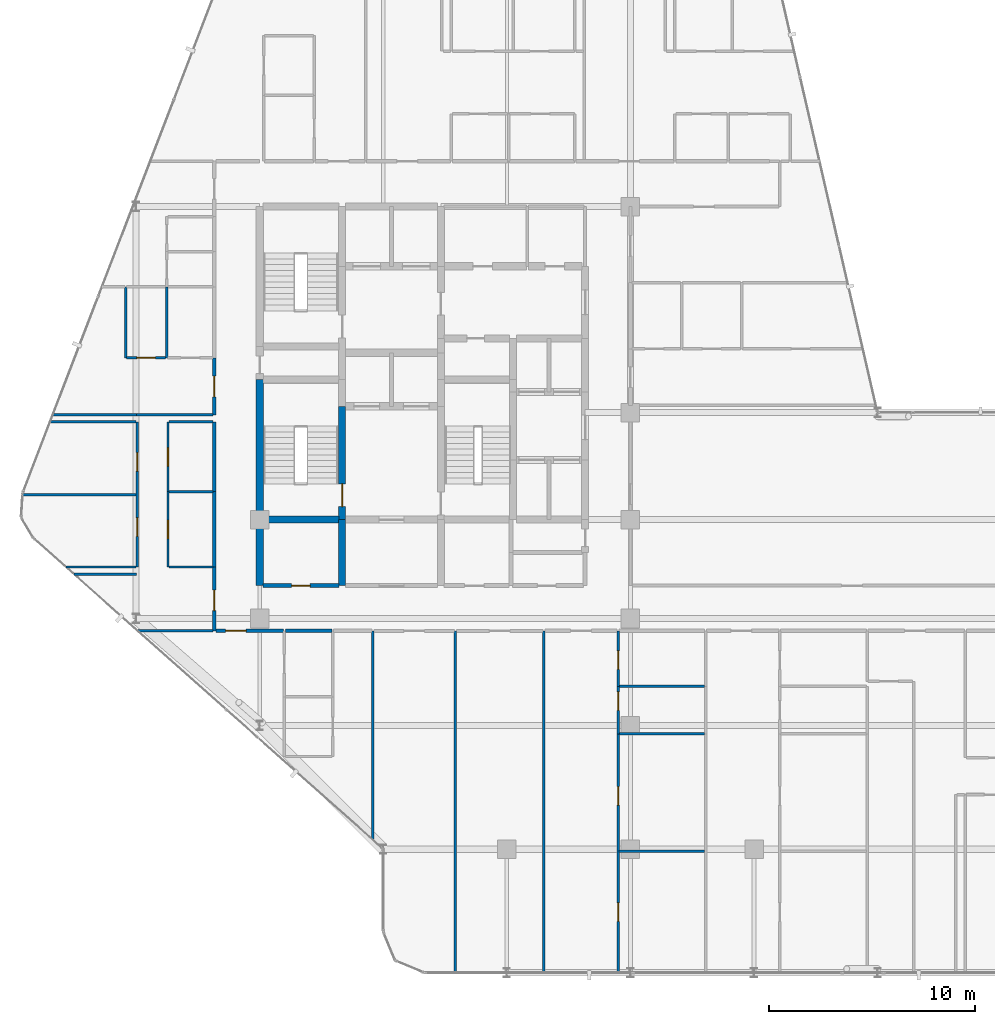
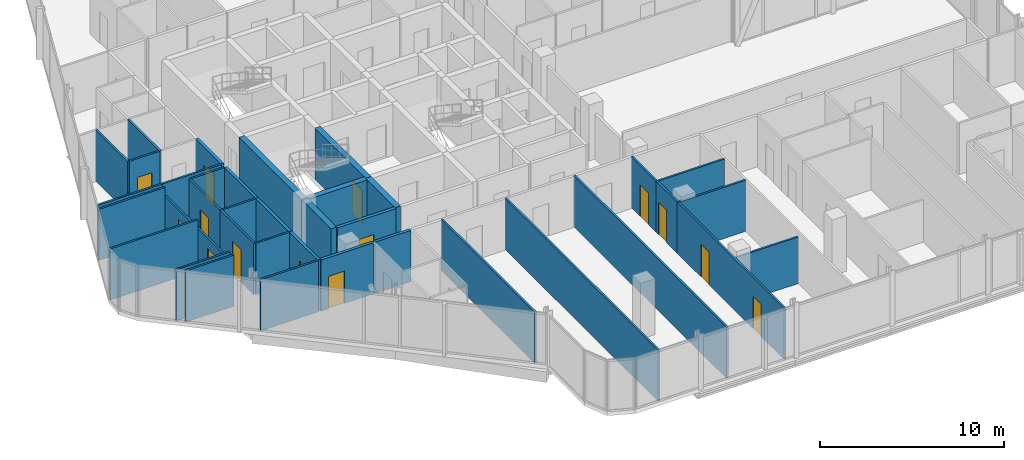
# One storey, part 23 of 29: 37 walls, 14 doors, 14 openings.
"""IFC4 building model written with IfcOpenShell, lengths in metres."""

import ifcopenshell
import ifcopenshell.guid

model = None  # the IFC model being written
_history = None  # IfcOwnerHistory: only IFC2X3 demands one
_inside = {}  # id of a spatial element -> (the spatial element, [elements in it])
_under = {}  # id of a project, library or spatial element -> (it, [spatial elements below it])
_declared = {}  # id of a project -> (the project, [libraries it declares])
_typed = {}  # id of a type object -> (the type object, [elements of that type])
_made_of = {}  # id of a material, layer set ... -> (it, [elements and type objects made of it])


def new_model(schema):
    """Start an empty IFC model of exactly this schema.

    Asked for "IFC4X3", IfcOpenShell would pick the latest addendum, in which some entities
    have other attributes; the version numbers below select the first issue.
    IFC2X3 requires an IfcOwnerHistory on every rooted entity: one is made here for all.
    """
    global model, _history
    if schema == "IFC4X3":
        model = ifcopenshell.file(schema_version=(4, 3, 0, 0))
    else:
        model = ifcopenshell.file(schema=schema)
    _inside.clear()
    _under.clear()
    _declared.clear()
    _typed.clear()
    _made_of.clear()
    _history = None
    if model.schema == "IFC2X3":
        org = make("IfcOrganization", Name="unknown")
        user = make(
            "IfcPersonAndOrganization",
            ThePerson=make("IfcPerson", FamilyName="unknown"),
            TheOrganization=org,
        )
        app = make(
            "IfcApplication",
            ApplicationDeveloper=org,
            Version="unknown",
            ApplicationFullName="unknown",
            ApplicationIdentifier="unknown",
        )
        _history = make(
            "IfcOwnerHistory",
            OwningUser=user,
            OwningApplication=app,
            ChangeAction="ADDED",
            CreationDate=0,
        )
    return model


def make(cls, **values):
    """One entity of the class cls with the attributes given. An attribute that is None is left unset."""
    return model.create_entity(
        cls, **{name: value for name, value in values.items() if value is not None}
    )


def rooted(cls, **values):
    """An entity with a GlobalId (a new one), such as an element, a storey or a relation."""
    return make(cls, GlobalId=ifcopenshell.guid.new(), OwnerHistory=_history, **values)


def si_unit(unit_type, name, prefix=None):
    """IfcSIUnit, for example si_unit("LENGTHUNIT", "METRE", prefix="MILLI")."""
    return make("IfcSIUnit", UnitType=unit_type, Prefix=prefix, Name=name)


def assignment(units):
    """IfcUnitAssignment: the units of a project."""
    return None if units is None else make("IfcUnitAssignment", Units=units)


def point(xyz):
    """IfcCartesianPoint."""
    return None if xyz is None else make("IfcCartesianPoint", Coordinates=xyz)


def direction(xyz):
    """IfcDirection."""
    return None if xyz is None else make("IfcDirection", DirectionRatios=xyz)


def frame(location, z_axis=None, x_axis=None):
    """IfcAxis2Placement3D, a coordinate frame: its origin and axes. An axis left out is left unset."""
    return make(
        "IfcAxis2Placement3D",
        Location=point(location),
        Axis=direction(z_axis),
        RefDirection=direction(x_axis),
    )


def frame_2d(location, x_axis=None):
    """IfcAxis2Placement2D, a coordinate frame in the plane: its origin and x axis."""
    return make(
        "IfcAxis2Placement2D", Location=point(location), RefDirection=direction(x_axis)
    )


def origin():
    """The frame at (0, 0, 0) with its axes left unset."""
    return frame((0.0, 0.0, 0.0))


def place(relative_to, where):
    """IfcLocalPlacement: puts the frame where relative to a parent placement (None: the world)."""
    return make(
        "IfcLocalPlacement", PlacementRelTo=relative_to, RelativePlacement=where
    )


def context(
    kind, dimensions, precision=None, world=None, true_north=None, identifier=None
):
    """IfcGeometricRepresentationContext, for example the 3D "Model" context."""
    return make(
        "IfcGeometricRepresentationContext",
        ContextIdentifier=identifier,
        ContextType=kind,
        CoordinateSpaceDimension=dimensions,
        Precision=precision,
        WorldCoordinateSystem=world,
        TrueNorth=true_north,
    )


def subcontext(parent, identifier, kind, view, scale=None):
    """IfcGeometricRepresentationSubContext, for example "Body" below "Model"."""
    return make(
        "IfcGeometricRepresentationSubContext",
        ContextIdentifier=identifier,
        ContextType=kind,
        ParentContext=parent,
        TargetScale=scale,
        TargetView=view,
    )


def project(units=None, contexts=None):
    """IfcProject with its units and contexts."""
    return rooted(
        "IfcProject",
        Name="project",
        RepresentationContexts=contexts,
        UnitsInContext=assignment(units),
    )


def spatial(cls, under=None, at=None, **own):
    """A site, building, storey or space (cls), placed at a placement, below another one or the project."""
    s = rooted(cls, ObjectPlacement=at, **own)
    if under is not None:
        _under.setdefault(under.id(), (under, []))[1].append(s)
    return s


def profile(cls, at=None, kind="AREA", **sizes):
    """A parametric profile (cls). Its sizes go by their IFC names, for example OverallWidth=200.0."""
    return make(cls, ProfileType=kind, Position=at, **sizes)


def rectangle(**sizes):
    """IfcRectangleProfileDef."""
    return profile("IfcRectangleProfileDef", **sizes)


def extrude(swept, where, along, depth):
    """IfcExtrudedAreaSolid: the profile swept, set in the frame where, extruded along a direction by depth."""
    return make(
        "IfcExtrudedAreaSolid",
        SweptArea=swept,
        Position=where,
        ExtrudedDirection=direction(along),
        Depth=depth,
    )


def shape(context_of_items, identifier, shape_type, items):
    """IfcShapeRepresentation: the items that make up one representation, for example the "Body"."""
    return make(
        "IfcShapeRepresentation",
        ContextOfItems=context_of_items,
        RepresentationIdentifier=identifier,
        RepresentationType=shape_type,
        Items=items,
    )


def material(Name=None, Category=None):
    """IfcMaterial."""
    return make("IfcMaterial", Name=Name, Category=Category)


def layer(
    of_material, thickness, ventilated=None, Name=None, Category=None, Priority=None
):
    """IfcMaterialLayer: one layer of a wall or slab, of a material (None: an air gap)."""
    return make(
        "IfcMaterialLayer",
        Material=of_material,
        LayerThickness=thickness,
        IsVentilated=ventilated,
        Name=Name,
        Category=Category,
        Priority=Priority,
    )


def layer_set(layers, Name=None):
    """IfcMaterialLayerSet."""
    return make("IfcMaterialLayerSet", MaterialLayers=layers, LayerSetName=Name)


def made_of(thing, what):
    """Note that an element or type object is made of a material, layer set ...; save() writes the relation."""
    if what is not None:
        _made_of.setdefault(what.id(), (what, []))[1].append(thing)
    return thing


def type_object(cls, material=None, **own):
    """A type object (cls), such as IfcWallType, which elements share."""
    return made_of(rooted(cls, **own), material)


def element(
    cls,
    number,
    at=None,
    inside=None,
    cuts=None,
    type_object=None,
    material=None,
    context=None,
    identifier="Body",
    shape_type=None,
    held_by="IfcProductDefinitionShape",
    body=None,
    shapes=None,
    **own,
):
    """One element of the class cls, such as IfcWall. Its Tag is "e" and its number.

    at: its placement. inside: the storey or other place that contains it. cuts: it is an
    opening in that element (IfcRelVoidsElement). A single representation is given by context,
    identifier, shape_type and body (its items); several are given by shapes. held_by: the class
    of the entity that holds the representations. save() writes the other relations.
    """
    e = rooted(cls, Tag="e%d" % number, ObjectPlacement=at, **own)
    if body is not None:
        shapes = [shape(context, identifier, shape_type, body)]
    if shapes is not None:
        e.Representation = make(held_by, Representations=shapes)
    if inside is not None:
        _inside.setdefault(inside.id(), (inside, []))[1].append(e)
    if cuts is not None:
        rooted(
            "IfcRelVoidsElement", RelatingBuildingElement=cuts, RelatedOpeningElement=e
        )
    if type_object is not None:
        _typed.setdefault(type_object.id(), (type_object, []))[1].append(e)
    return made_of(e, material)


def fill(opening, filler):
    """IfcRelFillsElement: the door or window that sits in an opening."""
    return rooted(
        "IfcRelFillsElement",
        RelatingOpeningElement=opening,
        RelatedBuildingElement=filler,
    )


def aggregate(whole, parts):
    """IfcRelAggregates: a whole, such as a stair, and the parts it consists of."""
    return rooted("IfcRelAggregates", RelatingObject=whole, RelatedObjects=parts)


def save(model, path):
    """Write the relations noted so far, then the file.

    IfcRelAggregates (storeys below a building ...), IfcRelContainedInSpatialStructure (elements
    in a storey), IfcRelDefinesByType, IfcRelAssociatesMaterial and IfcRelDeclares: one each for
    every whole, place, type object, material and project.
    """
    for whole, parts in _under.values():
        aggregate(whole, parts)
    for where, things in _inside.values():
        rooted(
            "IfcRelContainedInSpatialStructure",
            RelatedElements=things,
            RelatingStructure=where,
        )
    for kind, things in _typed.values():
        rooted("IfcRelDefinesByType", RelatedObjects=things, RelatingType=kind)
    for what, things in _made_of.values():
        rooted("IfcRelAssociatesMaterial", RelatedObjects=things, RelatingMaterial=what)
    for by, libraries in _declared.values():
        rooted("IfcRelDeclares", RelatingContext=by, RelatedDefinitions=libraries)
    model.write(path)


model = new_model("IFC4")

# Units and contexts
model_context = context("Model", 3, precision=1e-05, world=origin(), true_north=direction((0.0, 1.0)))
body_context = subcontext(model_context, "Body", "Model", "MODEL_VIEW")
ifc_project = project(units=[si_unit("LENGTHUNIT", "METRE"), si_unit("AREAUNIT", "SQUARE_METRE"), si_unit("VOLUMEUNIT", "CUBIC_METRE"), si_unit("PLANEANGLEUNIT", "RADIAN"), si_unit("MASSUNIT", "GRAM", prefix="KILO")], contexts=[model_context])

# Site, building, storey
site_placement = place(None, origin())
site = spatial("IfcSite", under=ifc_project, at=site_placement, CompositionType="ELEMENT")
building_placement = place(site_placement, origin())
building = spatial("IfcBuilding", under=site, at=building_placement, Name="Keshet Zoharim Tower", CompositionType="ELEMENT")
storey_placement = place(building_placement, frame((0.0, 0.0, 195.800048828125)))
storey = spatial("IfcBuildingStorey", under=building, at=storey_placement, Name="L48", CompositionType="ELEMENT", Elevation=195.800048828125)

# Walls
ifc_material_1 = material(Name="Concrete C60/75", Category="concrete")
ifc_layer_1 = layer(ifc_material_1, 0.35009765625)
ifc_layer_set_1 = layer_set([ifc_layer_1], Name="Concrete C60/75")
wall_type_1 = type_object("IfcWallType", Name="WL-CORE-350", PredefinedType="SHEAR", material=ifc_layer_set_1)
wall_1_placement = place(storey_placement, frame((15.0, 19.5, 0.0), z_axis=(0.0, 0.0, 1.0), x_axis=(0.0, 1.0, 0.0)))
element("IfcWall", 1, at=wall_1_placement, inside=storey, type_object=wall_type_1, Name="L48 Core Shear Wall 016", PredefinedType="SHEAR", context=body_context, shape_type="SweptSolid", body=[
    extrude(rectangle(XDim=3.199951171875, YDim=0.35009765625, at=frame_2d((1.60009765625, 0.0))), origin(), (0.0, 0.0, 1.0), 3.389892578125),
])
wall_2_placement = place(storey_placement, frame((15.0, 22.699951171875, 0.0), z_axis=(0.0, 0.0, 1.0), x_axis=(0.0, 1.0, 0.0)))
element("IfcWall", 2, at=wall_2_placement, inside=storey, type_object=wall_type_1, Name="L48 Core Shear Wall 017", PredefinedType="SHEAR", context=body_context, shape_type="SweptSolid", body=[
    extrude(rectangle(XDim=6.800048828125, YDim=0.35009765625, at=frame_2d((3.39990234375, 0.0))), origin(), (0.0, 0.0, 1.0), 3.389892578125),
])
wall_3_placement = place(storey_placement, frame((19.0, 19.5, 0.0), z_axis=(0.0, 0.0, 1.0), x_axis=(0.0, 1.0, 0.0)))
element("IfcWall", 3, at=wall_3_placement, inside=storey, type_object=wall_type_1, Name="L48 Core Shear Wall 028", PredefinedType="SHEAR", context=body_context, shape_type="SweptSolid", body=[
    extrude(rectangle(XDim=3.199951171875, YDim=0.35009765625, at=frame_2d((1.60009765625, 0.0))), origin(), (0.0, 0.0, 1.0), 3.389892578125),
])

# Wall, opening, door
wall_4_placement = place(storey_placement, frame((19.0, 22.699951171875, 0.0), z_axis=(0.0, 0.0, 1.0), x_axis=(0.0, 1.0, 0.0)))
wall_4 = element("IfcWall", 4, at=wall_4_placement, inside=storey, type_object=wall_type_1, Name="L48 Core Shear Wall 029", PredefinedType="SHEAR", context=body_context, shape_type="SweptSolid", body=[
    extrude(rectangle(XDim=5.5, YDim=0.35009765625, at=frame_2d((2.75, 0.0))), origin(), (0.0, 0.0, 1.0), 3.389892578125),
])
opening_1_placement = place(wall_4_placement, frame((0.631103515625, 0.0, 0.0)))
opening_1 = element("IfcOpeningElement", 5, at=opening_1_placement, cuts=wall_4, Name="Opening D-F611", PredefinedType="OPENING", context=body_context, shape_type="SweptSolid", body=[
    extrude(rectangle(XDim=1.10009765625, YDim=2.14990234375, at=frame_2d((0.550048828125, 1.074951171875))), frame((0.0, 0.18505859375, 0.0), z_axis=(0.0, -1.0, 0.0), x_axis=(1.0, 0.0, 0.0)), (0.0, 0.0, 1.0), 0.3701171875),
])
ifc_material_2 = material(Name="Hardwood Timber", Category="wood")
door_type_1 = type_object("IfcDoorType", Name="DR-FD60-110", OperationType="NOTDEFINED", PredefinedType="DOOR", material=ifc_material_2)
door_1_placement = place(opening_1_placement, origin())
door_1 = element("IfcDoor", 6, at=door_1_placement, inside=storey, type_object=door_type_1, Name="L48 Exit Stair ST-01 Fire Door", OperationType="SINGLE_SWING_RIGHT", OverallHeight=2.14990234375, OverallWidth=1.10009765625, PredefinedType="DOOR", context=body_context, shape_type="SweptSolid", body=[
    extrude(rectangle(XDim=1.10009765625, YDim=2.14990234375, at=frame_2d((0.550048828125, 1.074951171875))), frame((0.0, 0.02490234375, 0.0), z_axis=(0.0, -1.0, 0.0), x_axis=(1.0, 0.0, 0.0)), (0.0, 0.0, 1.0), 0.050048828125),
])
fill(opening_1, door_1)

# Wall
wall_5_placement = place(storey_placement, frame((15.159912109375, 22.699951171875, 0.0), z_axis=(0.0, 0.0, 1.0), x_axis=(1.0, 0.0, 0.0)))
element("IfcWall", 7, at=wall_5_placement, inside=storey, type_object=wall_type_1, Name="L48 Core Shear Wall 141", PredefinedType="SHEAR", context=body_context, shape_type="SweptSolid", body=[
    extrude(rectangle(XDim=3.68017578125, YDim=0.35009765625, at=frame_2d((1.840087890625, 0.0))), origin(), (0.0, 0.0, 1.0), 3.389892578125),
])

# Wall, opening, door
ifc_material_3 = material(Name="Gypsum Plasterboard", Category="gypsum")
ifc_layer_2 = layer(ifc_material_3, 0.179931640625)
ifc_layer_set_2 = layer_set([ifc_layer_2], Name="Gypsum Plasterboard")
wall_type_2 = type_object("IfcWallType", Name="WL-CORR-180", PredefinedType="STANDARD", material=ifc_layer_set_2)
wall_6_placement = place(storey_placement, frame((12.800048828125, 17.300048828125, 0.0), z_axis=(0.0, 0.0, 1.0), x_axis=(0.0, 1.0, 0.0)))
wall_6 = element("IfcWall", 8, at=wall_6_placement, inside=storey, type_object=wall_type_2, Name="L48 Interior Wall 008", PredefinedType="STANDARD", context=body_context, shape_type="SweptSolid", body=[
    extrude(rectangle(XDim=3.099853515625, YDim=0.179931640625, at=frame_2d((1.5498046875, 0.0))), origin(), (0.0, 0.0, 1.0), 3.389892578125),
])
opening_2_placement = place(wall_6_placement, frame((0.97802734375, 0.0, 0.0)))
opening_2 = element("IfcOpeningElement", 9, at=opening_2_placement, cuts=wall_6, Name="Opening D-F310", PredefinedType="OPENING", context=body_context, shape_type="SweptSolid", body=[
    extrude(rectangle(XDim=1.0, YDim=2.14990234375, at=frame_2d((0.5, 1.074951171875))), frame((0.0, 0.10009765625, 0.0), z_axis=(0.0, -1.0, 0.0), x_axis=(1.0, 0.0, 0.0)), (0.0, 0.0, 1.0), 0.199951171875),
])
door_type_2 = type_object("IfcDoorType", Name="DR-FD30-100", OperationType="NOTDEFINED", PredefinedType="DOOR", material=ifc_material_2)
door_2_placement = place(opening_2_placement, origin())
door_2 = element("IfcDoor", 10, at=door_2_placement, inside=storey, type_object=door_type_2, Name="Apartment 4808 Entrance Door", OperationType="SINGLE_SWING_RIGHT", OverallHeight=2.14990234375, OverallWidth=1.0, PredefinedType="DOOR", context=body_context, shape_type="SweptSolid", body=[
    extrude(rectangle(XDim=1.0, YDim=2.14990234375, at=frame_2d((0.5, 1.074951171875))), frame((0.0, 0.02490234375, 0.0), z_axis=(0.0, -1.0, 0.0), x_axis=(1.0, 0.0, 0.0)), (0.0, 0.0, 1.0), 0.050048828125),
])
fill(opening_2, door_2)

# Walls
wall_7_placement = place(storey_placement, frame((12.800048828125, 20.39990234375, 0.0), z_axis=(0.0, 0.0, 1.0), x_axis=(0.0, 1.0, 0.0)))
element("IfcWall", 11, at=wall_7_placement, inside=storey, type_object=wall_type_2, Name="L48 Interior Wall 009", PredefinedType="STANDARD", context=body_context, shape_type="SweptSolid", body=[
    extrude(rectangle(XDim=3.6611328125, YDim=0.179931640625, at=frame_2d((1.83056640625, 0.0))), origin(), (0.0, 0.0, 1.0), 3.389892578125),
])
wall_8_placement = place(storey_placement, frame((12.800048828125, 24.06103515625, 0.0), z_axis=(0.0, 0.0, 1.0), x_axis=(0.0, 1.0, 0.0)))
element("IfcWall", 12, at=wall_8_placement, inside=storey, type_object=wall_type_2, Name="L48 Interior Wall 010", PredefinedType="STANDARD", context=body_context, shape_type="SweptSolid", body=[
    extrude(rectangle(XDim=3.37890625, YDim=0.179931640625, at=frame_2d((1.689453125, 0.0))), origin(), (0.0, 0.0, 1.0), 3.389892578125),
])

# Wall, opening, door
wall_9_placement = place(storey_placement, frame((12.800048828125, 27.7900390625, 0.0), z_axis=(0.0, 0.0, 1.0), x_axis=(0.0, 1.0, 0.0)))
wall_9 = element("IfcWall", 13, at=wall_9_placement, inside=storey, type_object=wall_type_2, Name="L48 Interior Wall 011", PredefinedType="STANDARD", context=body_context, shape_type="SweptSolid", body=[
    extrude(rectangle(XDim=2.75, YDim=0.179931640625, at=frame_2d((1.375, 0.0))), origin(), (0.0, 0.0, 1.0), 3.389892578125),
])
opening_3_placement = place(wall_9_placement, frame((0.875, 0.0, 0.0)))
opening_3 = element("IfcOpeningElement", 14, at=opening_3_placement, cuts=wall_9, Name="Opening D-F310", PredefinedType="OPENING", context=body_context, shape_type="SweptSolid", body=[
    extrude(rectangle(XDim=1.0, YDim=2.14990234375, at=frame_2d((0.5, 1.074951171875))), frame((0.0, 0.10009765625, 0.0), z_axis=(0.0, -1.0, 0.0), x_axis=(1.0, 0.0, 0.0)), (0.0, 0.0, 1.0), 0.199951171875),
])
door_3_placement = place(opening_3_placement, origin())
door_3 = element("IfcDoor", 15, at=door_3_placement, inside=storey, type_object=door_type_2, Name="Apartment 4809 Entrance Door", OperationType="SINGLE_SWING_LEFT", OverallHeight=2.14990234375, OverallWidth=1.0, PredefinedType="DOOR", context=body_context, shape_type="SweptSolid", body=[
    extrude(rectangle(XDim=1.0, YDim=2.14990234375, at=frame_2d((0.5, 1.074951171875))), frame((0.0, 0.02490234375, 0.0), z_axis=(0.0, -1.0, 0.0), x_axis=(1.0, 0.0, 0.0)), (0.0, 0.0, 1.0), 0.050048828125),
])
fill(opening_3, door_3)

wall_10_placement = place(storey_placement, frame((12.875, 17.300048828125, 0.0), z_axis=(0.0, 0.0, 1.0), x_axis=(1.0, 0.0, 0.0)))
wall_10 = element("IfcWall", 16, at=wall_10_placement, inside=storey, type_object=wall_type_2, Name="L48 Interior Wall 118", PredefinedType="STANDARD", context=body_context, shape_type="SweptSolid", body=[
    extrude(rectangle(XDim=3.280029296875, YDim=0.179931640625, at=frame_2d((1.64013671875, 0.0))), origin(), (0.0, 0.0, 1.0), 3.389892578125),
])
opening_4_placement = place(wall_10_placement, frame((0.470947265625, 0.0, 0.0)))
opening_4 = element("IfcOpeningElement", 17, at=opening_4_placement, cuts=wall_10, Name="Opening D-F310", PredefinedType="OPENING", context=body_context, shape_type="SweptSolid", body=[
    extrude(rectangle(XDim=1.0, YDim=2.14990234375, at=frame_2d((0.5, 1.074951171875))), frame((0.0, 0.10009765625, 0.0), z_axis=(0.0, -1.0, 0.0), x_axis=(1.0, 0.0, 0.0)), (0.0, 0.0, 1.0), 0.199951171875),
])
door_4_placement = place(opening_4_placement, origin())
door_4 = element("IfcDoor", 18, at=door_4_placement, inside=storey, type_object=door_type_2, Name="Apartment 4801 Entrance Door", OperationType="SINGLE_SWING_RIGHT", OverallHeight=2.14990234375, OverallWidth=1.0, PredefinedType="DOOR", context=body_context, shape_type="SweptSolid", body=[
    extrude(rectangle(XDim=1.0, YDim=2.14990234375, at=frame_2d((0.5, 1.074951171875))), frame((0.0, 0.02490234375, 0.0), z_axis=(0.0, -1.0, 0.0), x_axis=(1.0, 0.0, 0.0)), (0.0, 0.0, 1.0), 0.050048828125),
])
fill(opening_4, door_4)

# Wall
wall_11_placement = place(storey_placement, frame((16.2451171875, 17.300048828125, 0.0), z_axis=(0.0, 0.0, 1.0), x_axis=(1.0, 0.0, 0.0)))
element("IfcWall", 19, at=wall_11_placement, inside=storey, type_object=wall_type_2, Name="L48 Interior Wall 119", PredefinedType="STANDARD", context=body_context, shape_type="SweptSolid", body=[
    extrude(rectangle(XDim=2.259765625, YDim=0.179931640625, at=frame_2d((1.1298828125, 0.0))), origin(), (0.0, 0.0, 1.0), 3.389892578125),
])

# Wall, opening, door
ifc_material_4 = material(Name="Concrete C50/60", Category="concrete")
ifc_layer_3 = layer(ifc_material_4, 0.199951171875)
ifc_layer_set_3 = layer_set([ifc_layer_3], Name="Concrete C50/60")
wall_type_3 = type_object("IfcWallType", Name="WL-FIRE-200", PredefinedType="STANDARD", material=ifc_layer_set_3)
wall_12_placement = place(storey_placement, frame((15.159912109375, 19.5, 0.0), z_axis=(0.0, 0.0, 1.0), x_axis=(1.0, 0.0, 0.0)))
wall_12 = element("IfcWall", 20, at=wall_12_placement, inside=storey, type_object=wall_type_3, Name="L48 Interior Wall 132", PredefinedType="STANDARD", context=body_context, shape_type="SweptSolid", body=[
    extrude(rectangle(XDim=3.68017578125, YDim=0.199951171875, at=frame_2d((1.840087890625, 0.0))), origin(), (0.0, 0.0, 1.0), 3.389892578125),
])
opening_5_placement = place(wall_12_placement, frame((1.389892578125, 0.0, 0.0)))
opening_5 = element("IfcOpeningElement", 21, at=opening_5_placement, cuts=wall_12, Name="Opening D-F690", PredefinedType="OPENING", context=body_context, shape_type="SweptSolid", body=[
    extrude(rectangle(XDim=0.89990234375, YDim=2.14990234375, at=frame_2d((0.449951171875, 1.074951171875))), frame((0.0, 0.10986328125, 0.0), z_axis=(0.0, -1.0, 0.0), x_axis=(1.0, 0.0, 0.0)), (0.0, 0.0, 1.0), 0.219970703125),
])
door_type_3 = type_object("IfcDoorType", Name="DR-FD60-090", OperationType="NOTDEFINED", PredefinedType="DOOR", material=ifc_material_2)
door_5_placement = place(opening_5_placement, origin())
door_5 = element("IfcDoor", 22, at=door_5_placement, inside=storey, type_object=door_type_3, Name="L48 Refuse Store Door", OperationType="SINGLE_SWING_RIGHT", OverallHeight=2.14990234375, OverallWidth=0.89990234375, PredefinedType="DOOR", context=body_context, shape_type="SweptSolid", body=[
    extrude(rectangle(XDim=0.89990234375, YDim=2.14990234375, at=frame_2d((0.449951171875, 1.074951171875))), frame((0.0, 0.02490234375, 0.0), z_axis=(0.0, -1.0, 0.0), x_axis=(1.0, 0.0, 0.0)), (0.0, 0.0, 1.0), 0.050048828125),
])
fill(opening_5, door_5)

# Wall
ifc_layer_4 = layer(ifc_material_3, 0.1201171875)
ifc_layer_set_4 = layer_set([ifc_layer_4], Name="Gypsum Plasterboard")
wall_type_4 = type_object("IfcWallType", Name="WL-PART-120", PredefinedType="PARTITIONING", material=ifc_layer_set_4)
wall_13_placement = place(storey_placement, frame((8.5, 30.5400390625, 0.0), z_axis=(0.0, 0.0, 1.0), x_axis=(0.0, 1.0, 0.0)))
element("IfcWall", 23, at=wall_13_placement, inside=storey, type_object=wall_type_4, Name="L48 Interior Wall 001", PredefinedType="PARTITIONING", context=body_context, shape_type="SweptSolid", body=[
    extrude(rectangle(XDim=3.4599609375, YDim=0.1201171875, at=frame_2d((1.72998046875, 0.0))), origin(), (0.0, 0.0, 1.0), 3.389892578125),
])

# Wall, openings, doors
wall_14_placement = place(storey_placement, frame((9.050048828125, 20.39990234375, 0.0), z_axis=(0.0, 0.0, 1.0), x_axis=(0.0, 1.0, 0.0)))
wall_14 = element("IfcWall", 24, at=wall_14_placement, inside=storey, type_object=wall_type_4, Name="L48 Interior Wall 002", PredefinedType="PARTITIONING", context=body_context, shape_type="SweptSolid", body=[
    extrude(rectangle(XDim=7.0400390625, YDim=0.1201171875, at=frame_2d((3.52001953125, 0.0))), origin(), (0.0, 0.0, 1.0), 2.7900390625),
])
opening_6_placement = place(wall_14_placement, frame((1.485107421875, 0.0, 0.0)))
opening_6 = element("IfcOpeningElement", 25, at=opening_6_placement, cuts=wall_14, Name="Opening D-IN90", PredefinedType="OPENING", context=body_context, shape_type="SweptSolid", body=[
    extrude(rectangle(XDim=0.89990234375, YDim=2.14990234375, at=frame_2d((0.449951171875, 1.074951171875))), frame((0.0, 0.070068359375, 0.0), z_axis=(0.0, -1.0, 0.0), x_axis=(1.0, 0.0, 0.0)), (0.0, 0.0, 1.0), 0.14013671875),
])
opening_7_placement = place(wall_14_placement, frame((4.655029296875, 0.0, 0.0)))
opening_7 = element("IfcOpeningElement", 26, at=opening_7_placement, cuts=wall_14, Name="Opening D-IN90", PredefinedType="OPENING", context=body_context, shape_type="SweptSolid", body=[
    extrude(rectangle(XDim=0.89990234375, YDim=2.14990234375, at=frame_2d((0.449951171875, 1.074951171875))), frame((0.0, 0.070068359375, 0.0), z_axis=(0.0, -1.0, 0.0), x_axis=(1.0, 0.0, 0.0)), (0.0, 0.0, 1.0), 0.14013671875),
])
door_type_4 = type_object("IfcDoorType", Name="DR-INT-090", OperationType="NOTDEFINED", PredefinedType="DOOR", material=ifc_material_2)
door_6_placement = place(opening_6_placement, origin())
door_6 = element("IfcDoor", 27, at=door_6_placement, inside=storey, type_object=door_type_4, Name="Apartment 4808 Bedroom 1 Door", OperationType="SINGLE_SWING_RIGHT", OverallHeight=2.14990234375, OverallWidth=0.89990234375, PredefinedType="DOOR", context=body_context, shape_type="SweptSolid", body=[
    extrude(rectangle(XDim=0.89990234375, YDim=2.14990234375, at=frame_2d((0.449951171875, 1.074951171875))), frame((0.0, 0.02490234375, 0.0), z_axis=(0.0, -1.0, 0.0), x_axis=(1.0, 0.0, 0.0)), (0.0, 0.0, 1.0), 0.050048828125),
])
fill(opening_6, door_6)
door_7_placement = place(opening_7_placement, origin())
door_7 = element("IfcDoor", 28, at=door_7_placement, inside=storey, type_object=door_type_4, Name="Apartment 4808 Bedroom 2 Door", OperationType="SINGLE_SWING_LEFT", OverallHeight=2.14990234375, OverallWidth=0.89990234375, PredefinedType="DOOR", context=body_context, shape_type="SweptSolid", body=[
    extrude(rectangle(XDim=0.89990234375, YDim=2.14990234375, at=frame_2d((0.449951171875, 1.074951171875))), frame((0.0, 0.02490234375, 0.0), z_axis=(0.0, -1.0, 0.0), x_axis=(1.0, 0.0, 0.0)), (0.0, 0.0, 1.0), 0.050048828125),
])
fill(opening_7, door_7)

# Wall, opening, door
wall_15_placement = place(storey_placement, frame((10.550048828125, 20.39990234375, 0.0), z_axis=(0.0, 0.0, 1.0), x_axis=(0.0, 1.0, 0.0)))
wall_15 = element("IfcWall", 29, at=wall_15_placement, inside=storey, type_object=wall_type_4, Name="L48 Interior Wall 006", PredefinedType="PARTITIONING", context=body_context, shape_type="SweptSolid", body=[
    extrude(rectangle(XDim=3.6611328125, YDim=0.1201171875, at=frame_2d((1.83056640625, 0.0))), origin(), (0.0, 0.0, 1.0), 3.389892578125),
])
opening_8_placement = place(wall_15_placement, frame((1.3798828125, 0.0, 0.0)))
opening_8 = element("IfcOpeningElement", 30, at=opening_8_placement, cuts=wall_15, Name="Opening D-IN90", PredefinedType="OPENING", context=body_context, shape_type="SweptSolid", body=[
    extrude(rectangle(XDim=0.89990234375, YDim=2.14990234375, at=frame_2d((0.449951171875, 1.074951171875))), frame((0.0, 0.070068359375, 0.0), z_axis=(0.0, -1.0, 0.0), x_axis=(1.0, 0.0, 0.0)), (0.0, 0.0, 1.0), 0.14013671875),
])
door_8_placement = place(opening_8_placement, origin())
door_8 = element("IfcDoor", 31, at=door_8_placement, inside=storey, type_object=door_type_4, Name="Apartment 4808 Kitchen Door", OperationType="SINGLE_SWING_RIGHT", OverallHeight=2.14990234375, OverallWidth=0.89990234375, PredefinedType="DOOR", context=body_context, shape_type="SweptSolid", body=[
    extrude(rectangle(XDim=0.89990234375, YDim=2.14990234375, at=frame_2d((0.449951171875, 1.074951171875))), frame((0.0, 0.02490234375, 0.0), z_axis=(0.0, -1.0, 0.0), x_axis=(1.0, 0.0, 0.0)), (0.0, 0.0, 1.0), 0.050048828125),
])
fill(opening_8, door_8)

# Walls
wall_16_placement = place(storey_placement, frame((20.5, 7.154052734375, 0.0), z_axis=(0.0, 0.0, 1.0), x_axis=(0.0, 1.0, 0.0)))
element("IfcWall", 32, at=wall_16_placement, inside=storey, type_object=wall_type_4, Name="L48 Interior Wall 034", PredefinedType="PARTITIONING", context=body_context, shape_type="SweptSolid", body=[
    extrude(rectangle(XDim=10.14599609375, YDim=0.1201171875, at=frame_2d((5.072998046875, 0.0))), origin(), (0.0, 0.0, 1.0), 3.389892578125),
])
for number, where, z_axis, x_axis, name in (
    (33, (24.5, 0.7099609375, 0.0), (0.0, 0.0, 1.0), (0.0, 1.0, 0.0), "L48 Interior Wall 047"),
    (34, (28.800048828125, 0.7099609375, 0.0), (0.0, 0.0, 1.0), (0.0, 1.0, 0.0), "L48 Interior Wall 057"),
):
    element("IfcWall", number, at=place(storey_placement, frame(where, z_axis=z_axis, x_axis=x_axis)), inside=storey, type_object=wall_type_4, Name=name, PredefinedType="PARTITIONING", context=body_context, shape_type="SweptSolid", body=[
        extrude(rectangle(XDim=16.590087890625, YDim=0.1201171875, at=frame_2d((8.294921875, 0.0))), origin(), (0.0, 0.0, 1.0), 3.389892578125),
    ])

# Wall, openings, doors
wall_17_placement = place(storey_placement, frame((32.39990234375, 0.7099609375, 0.0), z_axis=(0.0, 0.0, 1.0), x_axis=(0.0, 1.0, 0.0)))
wall_17 = element("IfcWall", 35, at=wall_17_placement, inside=storey, type_object=wall_type_4, Name="L48 Interior Wall 070", PredefinedType="PARTITIONING", context=body_context, shape_type="SweptSolid", body=[
    extrude(rectangle(XDim=11.590087890625, YDim=0.1201171875, at=frame_2d((5.794921875, 0.0))), origin(), (0.0, 0.0, 1.0), 3.389892578125),
])
opening_9_placement = place(wall_17_placement, frame((2.489990234375, 0.0, 0.0)))
opening_9 = element("IfcOpeningElement", 36, at=opening_9_placement, cuts=wall_17, Name="Opening D-IN90", PredefinedType="OPENING", context=body_context, shape_type="SweptSolid", body=[
    extrude(rectangle(XDim=0.89990234375, YDim=2.14990234375, at=frame_2d((0.449951171875, 1.074951171875))), frame((0.0, 0.070068359375, 0.0), z_axis=(0.0, -1.0, 0.0), x_axis=(1.0, 0.0, 0.0)), (0.0, 0.0, 1.0), 0.14013671875),
])
opening_10_placement = place(wall_17_placement, frame((8.133056640625, 0.0, 0.0)))
opening_10 = element("IfcOpeningElement", 37, at=opening_10_placement, cuts=wall_17, Name="Opening D-IN90", PredefinedType="OPENING", context=body_context, shape_type="SweptSolid", body=[
    extrude(rectangle(XDim=0.89990234375, YDim=2.14990234375, at=frame_2d((0.449951171875, 1.074951171875))), frame((0.0, 0.070068359375, 0.0), z_axis=(0.0, -1.0, 0.0), x_axis=(1.0, 0.0, 0.0)), (0.0, 0.0, 1.0), 0.14013671875),
])
door_9_placement = place(opening_9_placement, origin())
door_9 = element("IfcDoor", 38, at=door_9_placement, inside=storey, type_object=door_type_4, Name="Apartment 4802 Bedroom 1 Door", OperationType="SINGLE_SWING_LEFT", OverallHeight=2.14990234375, OverallWidth=0.89990234375, PredefinedType="DOOR", context=body_context, shape_type="SweptSolid", body=[
    extrude(rectangle(XDim=0.89990234375, YDim=2.14990234375, at=frame_2d((0.449951171875, 1.074951171875))), frame((0.0, 0.02490234375, 0.0), z_axis=(0.0, -1.0, 0.0), x_axis=(1.0, 0.0, 0.0)), (0.0, 0.0, 1.0), 0.050048828125),
])
fill(opening_9, door_9)
door_10_placement = place(opening_10_placement, origin())
door_10 = element("IfcDoor", 39, at=door_10_placement, inside=storey, type_object=door_type_4, Name="Apartment 4802 Bedroom 2 Door", OperationType="SINGLE_SWING_RIGHT", OverallHeight=2.14990234375, OverallWidth=0.89990234375, PredefinedType="DOOR", context=body_context, shape_type="SweptSolid", body=[
    extrude(rectangle(XDim=0.89990234375, YDim=2.14990234375, at=frame_2d((0.449951171875, 1.074951171875))), frame((0.0, 0.02490234375, 0.0), z_axis=(0.0, -1.0, 0.0), x_axis=(1.0, 0.0, 0.0)), (0.0, 0.0, 1.0), 0.050048828125),
])
fill(opening_10, door_10)

# Wall, opening, door
wall_18_placement = place(storey_placement, frame((32.39990234375, 12.300048828125, 0.0), z_axis=(0.0, 0.0, 1.0), x_axis=(0.0, 1.0, 0.0)))
wall_18 = element("IfcWall", 40, at=wall_18_placement, inside=storey, type_object=wall_type_4, Name="L48 Interior Wall 071", PredefinedType="PARTITIONING", context=body_context, shape_type="SweptSolid", body=[
    extrude(rectangle(XDim=2.300048828125, YDim=0.1201171875, at=frame_2d((1.14990234375, 0.0))), origin(), (0.0, 0.0, 1.0), 3.389892578125),
])
opening_11_placement = place(wall_18_placement, frame((1.14208984375, 0.0, 0.0)))
opening_11 = element("IfcOpeningElement", 41, at=opening_11_placement, cuts=wall_18, Name="Opening D-IN90", PredefinedType="OPENING", context=body_context, shape_type="SweptSolid", body=[
    extrude(rectangle(XDim=0.89990234375, YDim=2.14990234375, at=frame_2d((0.449951171875, 1.074951171875))), frame((0.0, 0.070068359375, 0.0), z_axis=(0.0, -1.0, 0.0), x_axis=(1.0, 0.0, 0.0)), (0.0, 0.0, 1.0), 0.14013671875),
])
door_11_placement = place(opening_11_placement, origin())
door_11 = element("IfcDoor", 42, at=door_11_placement, inside=storey, type_object=door_type_4, Name="Apartment 4802 Kitchen Door", OperationType="SINGLE_SWING_LEFT", OverallHeight=2.14990234375, OverallWidth=0.89990234375, PredefinedType="DOOR", context=body_context, shape_type="SweptSolid", body=[
    extrude(rectangle(XDim=0.89990234375, YDim=2.14990234375, at=frame_2d((0.449951171875, 1.074951171875))), frame((0.0, 0.02490234375, 0.0), z_axis=(0.0, -1.0, 0.0), x_axis=(1.0, 0.0, 0.0)), (0.0, 0.0, 1.0), 0.050048828125),
])
fill(opening_11, door_11)

# Walls
wall_19_placement = place(storey_placement, frame((32.445068359375, 6.60009765625, 0.0), z_axis=(0.0, 0.0, 1.0), x_axis=(1.0, 0.0, 0.0)))
element("IfcWall", 43, at=wall_19_placement, inside=storey, type_object=wall_type_4, Name="L48 Interior Wall 104", PredefinedType="PARTITIONING", context=body_context, shape_type="SweptSolid", body=[
    extrude(rectangle(XDim=4.159912109375, YDim=0.1201171875, at=frame_2d((2.080078125, 0.0))), origin(), (0.0, 0.0, 1.0), 3.08984375),
])
wall_20_placement = place(storey_placement, frame((32.445068359375, 12.300048828125, 0.0), z_axis=(0.0, 0.0, 1.0), x_axis=(1.0, 0.0, 0.0)))
element("IfcWall", 44, at=wall_20_placement, inside=storey, type_object=wall_type_4, Name="L48 Interior Wall 111", PredefinedType="PARTITIONING", context=body_context, shape_type="SweptSolid", body=[
    extrude(rectangle(XDim=4.159912109375, YDim=0.1201171875, at=frame_2d((2.080078125, 0.0))), origin(), (0.0, 0.0, 1.0), 3.389892578125),
])
wall_21_placement = place(storey_placement, frame((9.0849609375, 17.300048828125, 0.0), z_axis=(0.0, 0.0, 1.0), x_axis=(1.0, 0.0, 0.0)))
element("IfcWall", 45, at=wall_21_placement, inside=storey, type_object=wall_type_4, Name="L48 Interior Wall 117", PredefinedType="PARTITIONING", context=body_context, shape_type="SweptSolid", body=[
    extrude(rectangle(XDim=3.64013671875, YDim=0.1201171875, at=frame_2d((1.820068359375, 0.0))), origin(), (0.0, 0.0, 1.0), 3.389892578125),
])
wall_22_placement = place(storey_placement, frame((5.990966796875, 20.050048828125, 0.0), z_axis=(0.0, 0.0, 1.0), x_axis=(1.0, 0.0, 0.0)))
element("IfcWall", 46, at=wall_22_placement, inside=storey, type_object=wall_type_4, Name="L48 Interior Wall 137", PredefinedType="PARTITIONING", context=body_context, shape_type="SweptSolid", body=[
    extrude(rectangle(XDim=3.0390625, YDim=0.1201171875, at=frame_2d((1.51953125, 0.0))), origin(), (0.0, 0.0, 1.0), 3.389892578125),
])
wall_23_placement = place(storey_placement, frame((5.596923828125, 20.39990234375, 0.0), z_axis=(0.0, 0.0, 1.0), x_axis=(1.0, 0.0, 0.0)))
element("IfcWall", 47, at=wall_23_placement, inside=storey, type_object=wall_type_4, Name="L48 Interior Wall 138", PredefinedType="PARTITIONING", context=body_context, shape_type="SweptSolid", body=[
    extrude(rectangle(XDim=3.38818359375, YDim=0.1201171875, at=frame_2d((1.694091796875, 0.0))), origin(), (0.0, 0.0, 1.0), 3.389892578125),
])
wall_24_placement = place(storey_placement, frame((10.594970703125, 20.39990234375, 0.0), z_axis=(0.0, 0.0, 1.0), x_axis=(1.0, 0.0, 0.0)))
element("IfcWall", 48, at=wall_24_placement, inside=storey, type_object=wall_type_4, Name="L48 Interior Wall 139", PredefinedType="PARTITIONING", context=body_context, shape_type="SweptSolid", body=[
    extrude(rectangle(XDim=2.130126953125, YDim=0.1201171875, at=frame_2d((1.06494140625, 0.0))), origin(), (0.0, 0.0, 1.0), 3.389892578125),
])
wall_25_placement = place(storey_placement, frame((3.5009765625, 23.89990234375, 0.0), z_axis=(0.0, 0.0, 1.0), x_axis=(1.0, 0.0, 0.0)))
element("IfcWall", 49, at=wall_25_placement, inside=storey, type_object=wall_type_4, Name="L48 Interior Wall 145", PredefinedType="PARTITIONING", context=body_context, shape_type="SweptSolid", body=[
    extrude(rectangle(XDim=5.484130859375, YDim=0.1201171875, at=frame_2d((2.7421875, 0.0))), origin(), (0.0, 0.0, 1.0), 3.389892578125),
])
wall_26_placement = place(storey_placement, frame((4.8369140625, 27.449951171875, 0.0), z_axis=(0.0, 0.0, 1.0), x_axis=(1.0, 0.0, 0.0)))
element("IfcWall", 50, at=wall_26_placement, inside=storey, type_object=wall_type_4, Name="L48 Interior Wall 148", PredefinedType="PARTITIONING", context=body_context, shape_type="SweptSolid", body=[
    extrude(rectangle(XDim=4.148193359375, YDim=0.1201171875, at=frame_2d((2.07421875, 0.0))), origin(), (0.0, 0.0, 1.0), 3.389892578125),
])
wall_27_placement = place(storey_placement, frame((4.970947265625, 27.800048828125, 0.0), z_axis=(0.0, 0.0, 1.0), x_axis=(1.0, 0.0, 0.0)))
element("IfcWall", 51, at=wall_27_placement, inside=storey, type_object=wall_type_4, Name="L48 Interior Wall 150", PredefinedType="PARTITIONING", context=body_context, shape_type="SweptSolid", body=[
    extrude(rectangle(XDim=4.05908203125, YDim=0.1201171875, at=frame_2d((2.029541015625, 0.0))), origin(), (0.0, 0.0, 1.0), 3.389892578125),
])
wall_28_placement = place(storey_placement, frame((9.030029296875, 27.800048828125, 0.0), z_axis=(0.0, 0.0, 1.0), x_axis=(1.0, 0.0, 0.0)))
element("IfcWall", 52, at=wall_28_placement, inside=storey, type_object=wall_type_4, Name="L48 Interior Wall 151", PredefinedType="PARTITIONING", context=body_context, shape_type="SweptSolid", body=[
    extrude(rectangle(XDim=3.695068359375, YDim=0.1201171875, at=frame_2d((1.84765625, 0.0))), origin(), (0.0, 0.0, 1.0), 3.389892578125),
])

# Wall, opening, door
wall_29_placement = place(storey_placement, frame((8.544921875, 30.550048828125, 0.0), z_axis=(0.0, 0.0, 1.0), x_axis=(1.0, 0.0, 0.0)))
wall_29 = element("IfcWall", 53, at=wall_29_placement, inside=storey, type_object=wall_type_4, Name="L48 Interior Wall 157", PredefinedType="PARTITIONING", context=body_context, shape_type="SweptSolid", body=[
    extrude(rectangle(XDim=1.88818359375, YDim=0.1201171875, at=frame_2d((0.944091796875, 0.0))), origin(), (0.0, 0.0, 1.0), 3.389892578125),
])
opening_12_placement = place(wall_29_placement, frame((0.493896484375, 0.0, 0.0)))
opening_12 = element("IfcOpeningElement", 54, at=opening_12_placement, cuts=wall_29, Name="Opening D-IN90", PredefinedType="OPENING", context=body_context, shape_type="SweptSolid", body=[
    extrude(rectangle(XDim=0.89990234375, YDim=2.14990234375, at=frame_2d((0.449951171875, 1.074951171875))), frame((0.0, 0.070068359375, 0.0), z_axis=(0.0, -1.0, 0.0), x_axis=(1.0, 0.0, 0.0)), (0.0, 0.0, 1.0), 0.14013671875),
])
door_12_placement = place(opening_12_placement, origin())
door_12 = element("IfcDoor", 55, at=door_12_placement, inside=storey, type_object=door_type_4, Name="Apartment 4809 Kitchen Door", OperationType="SINGLE_SWING_RIGHT", OverallHeight=2.14990234375, OverallWidth=0.89990234375, PredefinedType="DOOR", context=body_context, shape_type="SweptSolid", body=[
    extrude(rectangle(XDim=0.89990234375, YDim=2.14990234375, at=frame_2d((0.449951171875, 1.074951171875))), frame((0.0, 0.02490234375, 0.0), z_axis=(0.0, -1.0, 0.0), x_axis=(1.0, 0.0, 0.0)), (0.0, 0.0, 1.0), 0.050048828125),
])
fill(opening_12, door_12)

# Wall
ifc_layer_5 = layer(ifc_material_3, 0.1201171875)
ifc_layer_set_5 = layer_set([ifc_layer_5], Name="Gypsum Plasterboard")
wall_type_5 = type_object("IfcWallType", Name="WL-WET-120", PredefinedType="PARTITIONING", material=ifc_layer_set_5)
wall_30_placement = place(storey_placement, frame((10.5, 30.5400390625, 0.0), z_axis=(0.0, 0.0, 1.0), x_axis=(0.0, 1.0, 0.0)))
element("IfcWall", 56, at=wall_30_placement, inside=storey, type_object=wall_type_5, Name="L48 Interior Wall 003", PredefinedType="PARTITIONING", context=body_context, shape_type="SweptSolid", body=[
    extrude(rectangle(XDim=3.4599609375, YDim=0.1201171875, at=frame_2d((1.72998046875, 0.0))), origin(), (0.0, 0.0, 1.0), 3.389892578125),
])

# Wall, opening, door
wall_31_placement = place(storey_placement, frame((10.550048828125, 24.06103515625, 0.0), z_axis=(0.0, 0.0, 1.0), x_axis=(0.0, 1.0, 0.0)))
wall_31 = element("IfcWall", 57, at=wall_31_placement, inside=storey, type_object=wall_type_5, Name="L48 Interior Wall 007", PredefinedType="PARTITIONING", context=body_context, shape_type="SweptSolid", body=[
    extrude(rectangle(XDim=3.37890625, YDim=0.1201171875, at=frame_2d((1.689453125, 0.0))), origin(), (0.0, 0.0, 1.0), 3.389892578125),
])
opening_13_placement = place(wall_31_placement, frame((1.239013671875, 0.0, 0.0)))
opening_13 = element("IfcOpeningElement", 58, at=opening_13_placement, cuts=wall_31, Name="Opening D-WT90", PredefinedType="OPENING", context=body_context, shape_type="SweptSolid", body=[
    extrude(rectangle(XDim=0.89990234375, YDim=2.10009765625, at=frame_2d((0.449951171875, 1.050048828125))), frame((0.0, 0.070068359375, 0.0), z_axis=(0.0, -1.0, 0.0), x_axis=(1.0, 0.0, 0.0)), (0.0, 0.0, 1.0), 0.14013671875),
])
door_type_5 = type_object("IfcDoorType", Name="DR-WET-090", OperationType="NOTDEFINED", PredefinedType="DOOR", material=ifc_material_2)
door_13_placement = place(opening_13_placement, origin())
door_13 = element("IfcDoor", 59, at=door_13_placement, inside=storey, type_object=door_type_5, Name="Apartment 4808 Bathroom Door", OperationType="SINGLE_SWING_LEFT", OverallHeight=2.10009765625, OverallWidth=0.89990234375, PredefinedType="DOOR", context=body_context, shape_type="SweptSolid", body=[
    extrude(rectangle(XDim=0.89990234375, YDim=2.10009765625, at=frame_2d((0.449951171875, 1.050048828125))), frame((0.0, 0.02490234375, 0.0), z_axis=(0.0, -1.0, 0.0), x_axis=(1.0, 0.0, 0.0)), (0.0, 0.0, 1.0), 0.050048828125),
])
fill(opening_13, door_13)

wall_32_placement = place(storey_placement, frame((32.39990234375, 14.60009765625, 0.0), z_axis=(0.0, 0.0, 1.0), x_axis=(0.0, 1.0, 0.0)))
wall_32 = element("IfcWall", 60, at=wall_32_placement, inside=storey, type_object=wall_type_5, Name="L48 Interior Wall 072", PredefinedType="PARTITIONING", context=body_context, shape_type="SweptSolid", body=[
    extrude(rectangle(XDim=2.699951171875, YDim=0.1201171875, at=frame_2d((1.35009765625, 0.0))), origin(), (0.0, 0.0, 1.0), 3.389892578125),
])
opening_14_placement = place(wall_32_placement, frame((0.827880859375, 0.0, 0.0)))
opening_14 = element("IfcOpeningElement", 61, at=opening_14_placement, cuts=wall_32, Name="Opening D-WT90", PredefinedType="OPENING", context=body_context, shape_type="SweptSolid", body=[
    extrude(rectangle(XDim=0.89990234375, YDim=2.10009765625, at=frame_2d((0.449951171875, 1.050048828125))), frame((0.0, 0.070068359375, 0.0), z_axis=(0.0, -1.0, 0.0), x_axis=(1.0, 0.0, 0.0)), (0.0, 0.0, 1.0), 0.14013671875),
])
door_14_placement = place(opening_14_placement, origin())
door_14 = element("IfcDoor", 62, at=door_14_placement, inside=storey, type_object=door_type_5, Name="Apartment 4802 Bathroom Door", OperationType="SINGLE_SWING_RIGHT", OverallHeight=2.10009765625, OverallWidth=0.89990234375, PredefinedType="DOOR", context=body_context, shape_type="SweptSolid", body=[
    extrude(rectangle(XDim=0.89990234375, YDim=2.10009765625, at=frame_2d((0.449951171875, 1.050048828125))), frame((0.0, 0.02490234375, 0.0), z_axis=(0.0, -1.0, 0.0), x_axis=(1.0, 0.0, 0.0)), (0.0, 0.0, 1.0), 0.050048828125),
])
fill(opening_14, door_14)

# Walls
wall_33_placement = place(storey_placement, frame((32.445068359375, 14.60009765625, 0.0), z_axis=(0.0, 0.0, 1.0), x_axis=(1.0, 0.0, 0.0)))
element("IfcWall", 63, at=wall_33_placement, inside=storey, type_object=wall_type_5, Name="L48 Interior Wall 114", PredefinedType="PARTITIONING", context=body_context, shape_type="SweptSolid", body=[
    extrude(rectangle(XDim=4.159912109375, YDim=0.1201171875, at=frame_2d((2.080078125, 0.0))), origin(), (0.0, 0.0, 1.0), 3.389892578125),
])
for number, where, z_axis, x_axis, name in (
    (64, (10.594970703125, 24.050048828125, 0.0), (0.0, 0.0, 1.0), (1.0, 0.0, 0.0), "L48 Interior Wall 146"),
    (65, (10.594970703125, 27.449951171875, 0.0), (0.0, 0.0, 1.0), (1.0, 0.0, 0.0), "L48 Interior Wall 149"),
):
    element("IfcWall", number, at=place(storey_placement, frame(where, z_axis=z_axis, x_axis=x_axis)), inside=storey, type_object=wall_type_5, Name=name, PredefinedType="PARTITIONING", context=body_context, shape_type="SweptSolid", body=[
        extrude(rectangle(XDim=2.130126953125, YDim=0.1201171875, at=frame_2d((1.06494140625, 0.0))), origin(), (0.0, 0.0, 1.0), 3.389892578125),
    ])

save(model, "model.ifc")
